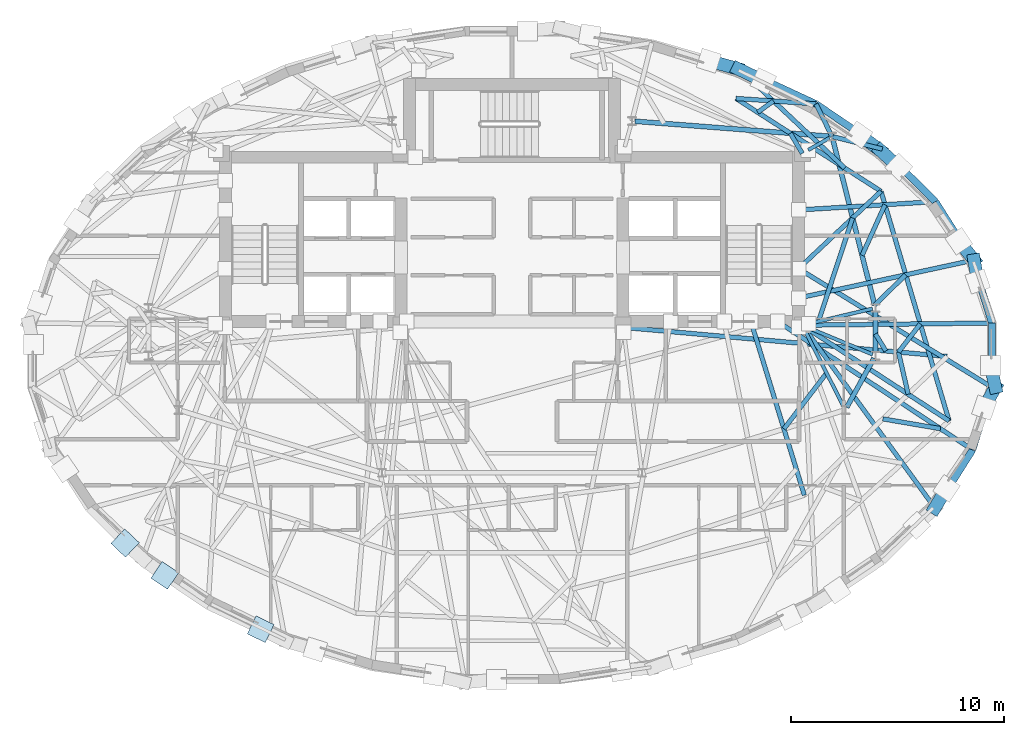
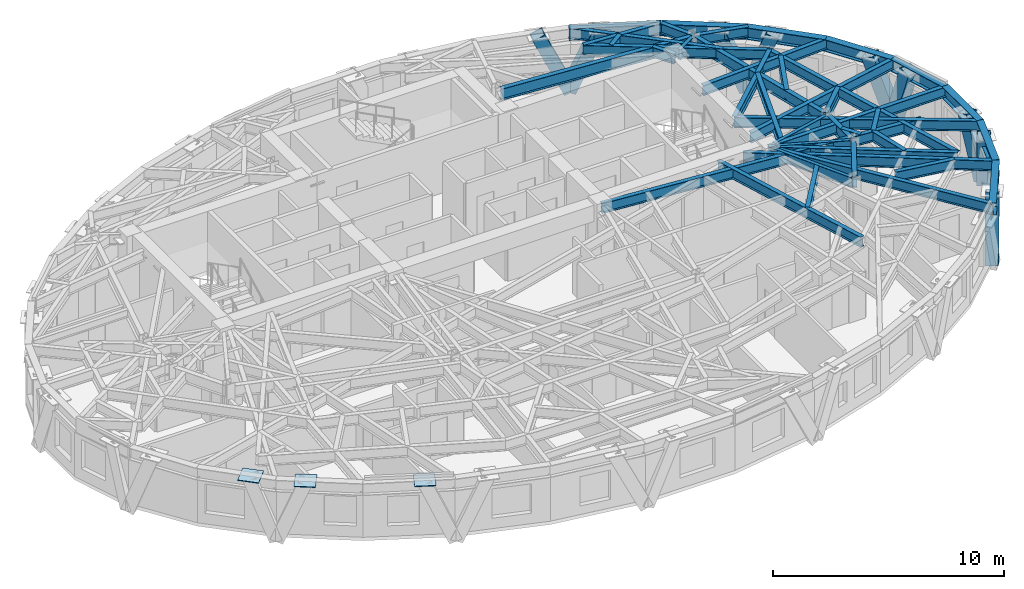
# One storey, part 4 of 14: 42 beams, 9 members, 3 plates.
"""IFC4 building model written with IfcOpenShell, lengths in metres."""

import ifcopenshell
import ifcopenshell.guid

model = None  # the IFC model being written
_history = None  # IfcOwnerHistory: only IFC2X3 demands one
_inside = {}  # id of a spatial element -> (the spatial element, [elements in it])
_under = {}  # id of a project, library or spatial element -> (it, [spatial elements below it])
_declared = {}  # id of a project -> (the project, [libraries it declares])
_typed = {}  # id of a type object -> (the type object, [elements of that type])
_made_of = {}  # id of a material, layer set ... -> (it, [elements and type objects made of it])


def new_model(schema):
    """Start an empty IFC model of exactly this schema.

    Asked for "IFC4X3", IfcOpenShell would pick the latest addendum, in which some entities
    have other attributes; the version numbers below select the first issue.
    IFC2X3 requires an IfcOwnerHistory on every rooted entity: one is made here for all.
    """
    global model, _history
    if schema == "IFC4X3":
        model = ifcopenshell.file(schema_version=(4, 3, 0, 0))
    else:
        model = ifcopenshell.file(schema=schema)
    _inside.clear()
    _under.clear()
    _declared.clear()
    _typed.clear()
    _made_of.clear()
    _history = None
    if model.schema == "IFC2X3":
        org = make("IfcOrganization", Name="unknown")
        user = make(
            "IfcPersonAndOrganization",
            ThePerson=make("IfcPerson", FamilyName="unknown"),
            TheOrganization=org,
        )
        app = make(
            "IfcApplication",
            ApplicationDeveloper=org,
            Version="unknown",
            ApplicationFullName="unknown",
            ApplicationIdentifier="unknown",
        )
        _history = make(
            "IfcOwnerHistory",
            OwningUser=user,
            OwningApplication=app,
            ChangeAction="ADDED",
            CreationDate=0,
        )
    return model


def make(cls, **values):
    """One entity of the class cls with the attributes given. An attribute that is None is left unset."""
    return model.create_entity(
        cls, **{name: value for name, value in values.items() if value is not None}
    )


def rooted(cls, **values):
    """An entity with a GlobalId (a new one), such as an element, a storey or a relation."""
    return make(cls, GlobalId=ifcopenshell.guid.new(), OwnerHistory=_history, **values)


def si_unit(unit_type, name, prefix=None):
    """IfcSIUnit, for example si_unit("LENGTHUNIT", "METRE", prefix="MILLI")."""
    return make("IfcSIUnit", UnitType=unit_type, Prefix=prefix, Name=name)


def assignment(units):
    """IfcUnitAssignment: the units of a project."""
    return None if units is None else make("IfcUnitAssignment", Units=units)


def point(xyz):
    """IfcCartesianPoint."""
    return None if xyz is None else make("IfcCartesianPoint", Coordinates=xyz)


def direction(xyz):
    """IfcDirection."""
    return None if xyz is None else make("IfcDirection", DirectionRatios=xyz)


def frame(location, z_axis=None, x_axis=None):
    """IfcAxis2Placement3D, a coordinate frame: its origin and axes. An axis left out is left unset."""
    return make(
        "IfcAxis2Placement3D",
        Location=point(location),
        Axis=direction(z_axis),
        RefDirection=direction(x_axis),
    )


def frame_2d(location, x_axis=None):
    """IfcAxis2Placement2D, a coordinate frame in the plane: its origin and x axis."""
    return make(
        "IfcAxis2Placement2D", Location=point(location), RefDirection=direction(x_axis)
    )


def origin():
    """The frame at (0, 0, 0) with its axes left unset."""
    return frame((0.0, 0.0, 0.0))


def origin_2d():
    """The frame at (0, 0) in the plane with its x axis left unset."""
    return frame_2d((0.0, 0.0))


def place(relative_to, where):
    """IfcLocalPlacement: puts the frame where relative to a parent placement (None: the world)."""
    return make(
        "IfcLocalPlacement", PlacementRelTo=relative_to, RelativePlacement=where
    )


def context(
    kind, dimensions, precision=None, world=None, true_north=None, identifier=None
):
    """IfcGeometricRepresentationContext, for example the 3D "Model" context."""
    return make(
        "IfcGeometricRepresentationContext",
        ContextIdentifier=identifier,
        ContextType=kind,
        CoordinateSpaceDimension=dimensions,
        Precision=precision,
        WorldCoordinateSystem=world,
        TrueNorth=true_north,
    )


def subcontext(parent, identifier, kind, view, scale=None):
    """IfcGeometricRepresentationSubContext, for example "Body" below "Model"."""
    return make(
        "IfcGeometricRepresentationSubContext",
        ContextIdentifier=identifier,
        ContextType=kind,
        ParentContext=parent,
        TargetScale=scale,
        TargetView=view,
    )


def project(units=None, contexts=None):
    """IfcProject with its units and contexts."""
    return rooted(
        "IfcProject",
        Name="project",
        RepresentationContexts=contexts,
        UnitsInContext=assignment(units),
    )


def spatial(cls, under=None, at=None, **own):
    """A site, building, storey or space (cls), placed at a placement, below another one or the project."""
    s = rooted(cls, ObjectPlacement=at, **own)
    if under is not None:
        _under.setdefault(under.id(), (under, []))[1].append(s)
    return s


def profile(cls, at=None, kind="AREA", **sizes):
    """A parametric profile (cls). Its sizes go by their IFC names, for example OverallWidth=200.0."""
    return make(cls, ProfileType=kind, Position=at, **sizes)


def rectangle(**sizes):
    """IfcRectangleProfileDef."""
    return profile("IfcRectangleProfileDef", **sizes)


def hollow_rectangle(**sizes):
    """IfcRectangleHollowProfileDef."""
    return profile("IfcRectangleHollowProfileDef", **sizes)


def i_section(**sizes):
    """IfcIShapeProfileDef."""
    return profile("IfcIShapeProfileDef", **sizes)


def extrude(swept, where, along, depth):
    """IfcExtrudedAreaSolid: the profile swept, set in the frame where, extruded along a direction by depth."""
    return make(
        "IfcExtrudedAreaSolid",
        SweptArea=swept,
        Position=where,
        ExtrudedDirection=direction(along),
        Depth=depth,
    )


def shape(context_of_items, identifier, shape_type, items):
    """IfcShapeRepresentation: the items that make up one representation, for example the "Body"."""
    return make(
        "IfcShapeRepresentation",
        ContextOfItems=context_of_items,
        RepresentationIdentifier=identifier,
        RepresentationType=shape_type,
        Items=items,
    )


def material(Name=None, Category=None):
    """IfcMaterial."""
    return make("IfcMaterial", Name=Name, Category=Category)


def layer(
    of_material, thickness, ventilated=None, Name=None, Category=None, Priority=None
):
    """IfcMaterialLayer: one layer of a wall or slab, of a material (None: an air gap)."""
    return make(
        "IfcMaterialLayer",
        Material=of_material,
        LayerThickness=thickness,
        IsVentilated=ventilated,
        Name=Name,
        Category=Category,
        Priority=Priority,
    )


def layer_set(layers, Name=None):
    """IfcMaterialLayerSet."""
    return make("IfcMaterialLayerSet", MaterialLayers=layers, LayerSetName=Name)


def material_profile(
    of_material, cross_section, Name=None, Category=None, Priority=None
):
    """IfcMaterialProfile: a cross section and its material."""
    return make(
        "IfcMaterialProfile",
        Name=Name,
        Material=of_material,
        Profile=cross_section,
        Priority=Priority,
        Category=Category,
    )


def profile_set(profiles, Name=None, composite=None):
    """IfcMaterialProfileSet."""
    return make(
        "IfcMaterialProfileSet",
        Name=Name,
        MaterialProfiles=profiles,
        CompositeProfile=composite,
    )


def made_of(thing, what):
    """Note that an element or type object is made of a material, layer set ...; save() writes the relation."""
    if what is not None:
        _made_of.setdefault(what.id(), (what, []))[1].append(thing)
    return thing


def type_object(cls, material=None, **own):
    """A type object (cls), such as IfcWallType, which elements share."""
    return made_of(rooted(cls, **own), material)


def element(
    cls,
    number,
    at=None,
    inside=None,
    cuts=None,
    type_object=None,
    material=None,
    context=None,
    identifier="Body",
    shape_type=None,
    held_by="IfcProductDefinitionShape",
    body=None,
    shapes=None,
    **own,
):
    """One element of the class cls, such as IfcWall. Its Tag is "e" and its number.

    at: its placement. inside: the storey or other place that contains it. cuts: it is an
    opening in that element (IfcRelVoidsElement). A single representation is given by context,
    identifier, shape_type and body (its items); several are given by shapes. held_by: the class
    of the entity that holds the representations. save() writes the other relations.
    """
    e = rooted(cls, Tag="e%d" % number, ObjectPlacement=at, **own)
    if body is not None:
        shapes = [shape(context, identifier, shape_type, body)]
    if shapes is not None:
        e.Representation = make(held_by, Representations=shapes)
    if inside is not None:
        _inside.setdefault(inside.id(), (inside, []))[1].append(e)
    if cuts is not None:
        rooted(
            "IfcRelVoidsElement", RelatingBuildingElement=cuts, RelatedOpeningElement=e
        )
    if type_object is not None:
        _typed.setdefault(type_object.id(), (type_object, []))[1].append(e)
    return made_of(e, material)


def aggregate(whole, parts):
    """IfcRelAggregates: a whole, such as a stair, and the parts it consists of."""
    return rooted("IfcRelAggregates", RelatingObject=whole, RelatedObjects=parts)


def save(model, path):
    """Write the relations noted so far, then the file.

    IfcRelAggregates (storeys below a building ...), IfcRelContainedInSpatialStructure (elements
    in a storey), IfcRelDefinesByType, IfcRelAssociatesMaterial and IfcRelDeclares: one each for
    every whole, place, type object, material and project.
    """
    for whole, parts in _under.values():
        aggregate(whole, parts)
    for where, things in _inside.values():
        rooted(
            "IfcRelContainedInSpatialStructure",
            RelatedElements=things,
            RelatingStructure=where,
        )
    for kind, things in _typed.values():
        rooted("IfcRelDefinesByType", RelatedObjects=things, RelatingType=kind)
    for what, things in _made_of.values():
        rooted("IfcRelAssociatesMaterial", RelatedObjects=things, RelatingMaterial=what)
    for by, libraries in _declared.values():
        rooted("IfcRelDeclares", RelatingContext=by, RelatedDefinitions=libraries)
    model.write(path)


model = new_model("IFC4")

# Units and contexts
model_context = context("Model", 3, precision=1e-05, world=origin(), true_north=direction((0.0, 1.0)))
body_context = subcontext(model_context, "Body", "Model", "MODEL_VIEW")
ifc_project = project(units=[si_unit("LENGTHUNIT", "METRE"), si_unit("AREAUNIT", "SQUARE_METRE"), si_unit("VOLUMEUNIT", "CUBIC_METRE"), si_unit("PLANEANGLEUNIT", "RADIAN"), si_unit("MASSUNIT", "GRAM", prefix="KILO")], contexts=[model_context])

# Site, building, storey
site_placement = place(None, origin())
site = spatial("IfcSite", under=ifc_project, at=site_placement, CompositionType="ELEMENT")
building_placement = place(site_placement, origin())
building = spatial("IfcBuilding", under=site, at=building_placement, Name="Keldmark Tower", CompositionType="ELEMENT")
storey_placement = place(building_placement, frame((0.0, 0.0, 225.75)))
storey = spatial("IfcBuildingStorey", under=building, at=storey_placement, Name="L63", CompositionType="ELEMENT", Elevation=225.75)

# Members
ifc_material_1 = material(Name="Steel ASTM A572 Grade 50", Category="steel")
ifc_material_profile_1 = material_profile(ifc_material_1, hollow_rectangle(XDim=0.60009765625, YDim=0.60009765625, WallThickness=0.034912109375, at=origin_2d()), Name="BOX600X600X35")
ifc_profile_set_1 = profile_set([ifc_material_profile_1], Name="Steel ASTM A572 Grade 50")
member_type = type_object("IfcMemberType", Name="Diagrid Zone 4 Brace BOX600X600X35", PredefinedType="BRACE", material=ifc_profile_set_1)
member_1_placement = place(storey_placement, frame((21.648681640625, 4.4599609375, -0.260009765625), z_axis=(0.052359262736, -0.30736826458, 0.950149071217), x_axis=(0.985799271193, 0.16792795156, 0.0)))
element("IfcMember", 1, at=member_1_placement, inside=storey, type_object=member_type, Name="L63 Perimeter Diagrid Brace 01A", PredefinedType="BRACE", context=body_context, shape_type="SweptSolid", body=[
    extrude(hollow_rectangle(XDim=0.60009765625, YDim=0.60009765625, WallThickness=0.034912109375, at=origin_2d()), origin(), (0.0, 0.0, 1.0), 3.273193359375),
])
member_2_placement = place(storey_placement, frame((21.651123046875, 4.448486328125, -0.260009765625), z_axis=(-0.214858487327, 0.268665244016, 0.938964758168), x_axis=(-0.780973315, -0.624564393203, 0.0)))
element("IfcMember", 2, at=member_2_placement, inside=storey, type_object=member_type, Name="L63 Perimeter Diagrid Brace 01B", PredefinedType="BRACE", context=body_context, shape_type="SweptSolid", body=[
    extrude(hollow_rectangle(XDim=0.60009765625, YDim=0.60009765625, WallThickness=0.034912109375, at=origin_2d()), origin(), (0.0, 0.0, 1.0), 3.312255859375),
])
member_3_placement = place(storey_placement, frame((17.247802734375, 9.6005859375, -0.260009765625), z_axis=(0.264157929949, -0.238629754547, 0.934492604727), x_axis=(0.670341168398, 0.742053042546, 0.0)))
element("IfcMember", 3, at=member_3_placement, inside=storey, type_object=member_type, Name="L63 Perimeter Diagrid Brace 02A", PredefinedType="BRACE", context=body_context, shape_type="SweptSolid", body=[
    extrude(hollow_rectangle(XDim=0.60009765625, YDim=0.60009765625, WallThickness=0.034912109375, at=origin_2d()), origin(), (0.0, 0.0, 1.0), 3.328125),
])
member_4_placement = place(storey_placement, frame((17.25439453125, 9.5908203125, -0.260009765625), z_axis=(-0.29491050616, 0.218755106822, 0.930147298333), x_axis=(-0.595760039793, -0.803162483552, 0.0)))
element("IfcMember", 4, at=member_4_placement, inside=storey, type_object=member_type, Name="L63 Perimeter Diagrid Brace 02B", PredefinedType="BRACE", context=body_context, shape_type="SweptSolid", body=[
    extrude(hollow_rectangle(XDim=0.60009765625, YDim=0.60009765625, WallThickness=0.034912109375, at=origin_2d()), origin(), (0.0, 0.0, 1.0), 3.34375),
])
member_5_placement = place(storey_placement, frame((10.5751953125, 13.41943359375, -0.260009765625), z_axis=(0.355151526053, -0.170143701429, 0.919194492154), x_axis=(0.432051880962, 0.901848752373, 0.0)))
element("IfcMember", 5, at=member_5_placement, inside=storey, type_object=member_type, Name="L63 Perimeter Diagrid Brace 03A", PredefinedType="BRACE", context=body_context, shape_type="SweptSolid", body=[
    extrude(hollow_rectangle(XDim=0.60009765625, YDim=0.60009765625, WallThickness=0.034912109375, at=origin_2d()), origin(), (0.0, 0.0, 1.0), 3.383544921875),
])
member_6_placement = place(storey_placement, frame((10.5849609375, 13.4130859375, -0.260009765625), z_axis=(-0.398981240233, 0.111034535695, 0.910211679679), x_axis=(-0.26810654072, -0.963389268584, 0.0)))
element("IfcMember", 6, at=member_6_placement, inside=storey, type_object=member_type, Name="L63 Perimeter Diagrid Brace 03B", PredefinedType="BRACE", context=body_context, shape_type="SweptSolid", body=[
    extrude(hollow_rectangle(XDim=0.60009765625, YDim=0.60009765625, WallThickness=0.034912109375, at=origin_2d()), origin(), (0.0, 0.0, 1.0), 3.4169921875),
])
member_7_placement = place(storey_placement, frame((19.80322265625, -7.16943359375, -0.260009765625), z_axis=(0.170164366192, 0.280863886334, 0.944541987331), x_axis=(-0.855273640072, 0.518176611395, 0.0)))
element("IfcMember", 7, at=member_7_placement, inside=storey, type_object=member_type, Name="L63 Perimeter Diagrid Brace 15B", PredefinedType="BRACE", context=body_context, shape_type="SweptSolid", body=[
    extrude(hollow_rectangle(XDim=0.60009765625, YDim=0.60009765625, WallThickness=0.034912109375, at=origin_2d()), origin(), (0.0, 0.0, 1.0), 3.292724609375),
])
member_8_placement = place(storey_placement, frame((22.65185546875, -1.49951171875, -0.260009765625), z_axis=(-0.159875295464, -0.292216512265, 0.942894161537), x_axis=(0.877283427073, -0.479972695663, 0.0)))
element("IfcMember", 8, at=member_8_placement, inside=storey, type_object=member_type, Name="L63 Perimeter Diagrid Brace 16A", PredefinedType="BRACE", context=body_context, shape_type="SweptSolid", body=[
    extrude(hollow_rectangle(XDim=0.60009765625, YDim=0.60009765625, WallThickness=0.034912109375, at=origin_2d()), origin(), (0.0, 0.0, 1.0), 3.298583984375),
])
member_9_placement = place(storey_placement, frame((22.6494140625, -1.510986328125, -0.260009765625), z_axis=(-0.068559561846, 0.309895174772, 0.94829561168), x_axis=(-0.976390815679, -0.216011516032, 0.0)))
element("IfcMember", 9, at=member_9_placement, inside=storey, type_object=member_type, Name="L63 Perimeter Diagrid Brace 16B", PredefinedType="BRACE", context=body_context, shape_type="SweptSolid", body=[
    extrude(hollow_rectangle(XDim=0.60009765625, YDim=0.60009765625, WallThickness=0.034912109375, at=origin_2d()), origin(), (0.0, 0.0, 1.0), 3.27978515625),
])

# Beams
ifc_material_2 = material(Name="Steel ASTM A992 Grade 50", Category="steel")
ifc_material_profile_2 = material_profile(ifc_material_2, i_section(OverallWidth=0.22802734375, OverallDepth=0.60302734375, WebThickness=0.010498046875, FlangeThickness=0.014892578125, at=origin_2d()), Name="W24X68")
ifc_profile_set_2 = profile_set([ifc_material_profile_2], Name="Steel ASTM A992 Grade 50")
beam_type_1 = type_object("IfcBeamType", Name="Primary Floor Girder W24X68", PredefinedType="BEAM", material=ifc_profile_set_2)
beam_1_placement = place(storey_placement, frame((16.9912109375, 2.34375, 2.66845703125), z_axis=(-0.244902129455, 0.969547805417, 0.0), x_axis=(-0.969547805417, -0.244902129455, 0.0)))
element("IfcBeam", 10, at=beam_1_placement, inside=storey, type_object=beam_type_1, Name="L63 Floor Ring Girder FG-R01", PredefinedType="BEAM", context=body_context, shape_type="SweptSolid", body=[
    extrude(i_section(OverallWidth=0.22802734375, OverallDepth=0.60302734375, WebThickness=0.010498046875, FlangeThickness=0.014892578125, at=origin_2d()), origin(), (0.0, 0.0, 1.0), 8.008056640625),
])
beam_2_placement = place(storey_placement, frame((14.856201171875, 10.25439453125, 2.66845703125), z_axis=(-0.997037147832, 0.076921556421, 0.0), x_axis=(-0.076921556421, -0.997037147832, 0.0)))
element("IfcBeam", 11, at=beam_2_placement, inside=storey, type_object=beam_type_1, Name="L63 Floor Ring Girder FG-R02", PredefinedType="BEAM", context=body_context, shape_type="SweptSolid", body=[
    extrude(i_section(OverallWidth=0.22802734375, OverallDepth=0.60302734375, WebThickness=0.010498046875, FlangeThickness=0.014892578125, at=origin_2d()), origin(), (0.0, 0.0, 1.0), 9.125),
])
beam_3_placement = place(storey_placement, frame((15.68408203125, -2.44482421875, 2.66845703125), z_axis=(0.484719680408, 0.874669555561, 0.0), x_axis=(-0.874669555561, 0.484719680408, 0.0)))
element("IfcBeam", 12, at=beam_3_placement, inside=storey, type_object=beam_type_1, Name="L63 Floor Ring Girder FG-R11", PredefinedType="BEAM", context=body_context, shape_type="SweptSolid", body=[
    extrude(i_section(OverallWidth=0.22802734375, OverallDepth=0.60302734375, WebThickness=0.010498046875, FlangeThickness=0.014892578125, at=origin_2d()), origin(), (0.0, 0.0, 1.0), 2.627685546875),
])
beam_4_placement = place(storey_placement, frame((17.025634765625, 0.115966796875, 2.66845703125), z_axis=(0.0, 1.0, 0.0), x_axis=(-1.0, 0.0, 0.0)))
element("IfcBeam", 13, at=beam_4_placement, inside=storey, type_object=beam_type_1, Name="L63 Floor Ring Girder FG-R12", PredefinedType="BEAM", context=body_context, shape_type="SweptSolid", body=[
    extrude(i_section(OverallWidth=0.22802734375, OverallDepth=0.60302734375, WebThickness=0.010498046875, FlangeThickness=0.014892578125, at=origin_2d()), origin(), (0.0, 0.0, 1.0), 1.9521484375),
])
ifc_material_3 = material(Name="Steel ASTM A992 Grade 50", Category="steel")
ifc_material_profile_3 = material_profile(ifc_material_3, i_section(OverallWidth=0.166015625, OverallDepth=0.529052734375, WebThickness=0.009765625, FlangeThickness=0.013671875, at=origin_2d()), Name="W21X50")
ifc_profile_set_3 = profile_set([ifc_material_profile_3], Name="Steel ASTM A992 Grade 50")
beam_type_2 = type_object("IfcBeamType", Name="Radial Tie Girder W21X50", PredefinedType="BEAM", material=ifc_profile_set_3)
beam_5_placement = place(storey_placement, frame((16.889404296875, 2.17578125, 2.70556640625), z_axis=(-0.97329039005, -0.229577474147, 0.0), x_axis=(0.229577474147, -0.97329039005, 0.0)))
element("IfcBeam", 14, at=beam_5_placement, inside=storey, type_object=beam_type_2, Name="L63 Floor Radial Girder FG-C01", PredefinedType="BEAM", context=body_context, shape_type="SweptSolid", body=[
    extrude(i_section(OverallWidth=0.166015625, OverallDepth=0.529052734375, WebThickness=0.009765625, FlangeThickness=0.013671875, at=origin_2d()), origin(), (0.0, 0.0, 1.0), 3.0595703125),
])
beam_6_placement = place(storey_placement, frame((14.8740234375, 10.174560546875, 2.70556640625), z_axis=(-0.869238046195, -0.494393789451, 0.0), x_axis=(0.494393789451, -0.869238046195, 0.0)))
element("IfcBeam", 15, at=beam_6_placement, inside=storey, type_object=beam_type_2, Name="L63 Floor Radial Girder FG-C02", PredefinedType="BEAM", context=body_context, shape_type="SweptSolid", body=[
    extrude(i_section(OverallWidth=0.166015625, OverallDepth=0.529052734375, WebThickness=0.009765625, FlangeThickness=0.013671875, at=origin_2d()), origin(), (0.0, 0.0, 1.0), 1.145751953125),
])
beam_7_placement = place(storey_placement, frame((15.552734375, -2.442626953125, 2.70556640625), z_axis=(-0.453004410574, 0.89150827478, 0.0), x_axis=(-0.89150827478, -0.453004410574, 0.0)))
element("IfcBeam", 16, at=beam_7_placement, inside=storey, type_object=beam_type_2, Name="L63 Floor Radial Girder FG-C11", PredefinedType="BEAM", context=body_context, shape_type="SweptSolid", body=[
    extrude(i_section(OverallWidth=0.166015625, OverallDepth=0.529052734375, WebThickness=0.009765625, FlangeThickness=0.013671875, at=origin_2d()), origin(), (0.0, 0.0, 1.0), 3.990234375),
])
beam_8_placement = place(storey_placement, frame((16.896240234375, 0.02978515625, 2.70556640625), z_axis=(-0.923403331902, 0.383831065226, 0.0), x_axis=(-0.383831065226, -0.923403331902, 0.0)))
element("IfcBeam", 17, at=beam_8_placement, inside=storey, type_object=beam_type_2, Name="L63 Floor Radial Girder FG-C12", PredefinedType="BEAM", context=body_context, shape_type="SweptSolid", body=[
    extrude(i_section(OverallWidth=0.166015625, OverallDepth=0.529052734375, WebThickness=0.009765625, FlangeThickness=0.013671875, at=origin_2d()), origin(), (0.0, 0.0, 1.0), 3.249755859375),
])
ifc_material_4 = material(Name="Steel ASTM A992 Grade 50", Category="steel")
ifc_material_profile_4 = material_profile(ifc_material_4, i_section(OverallWidth=0.2099609375, OverallDepth=0.537109375, WebThickness=0.010986328125, FlangeThickness=0.017333984375, at=origin_2d()), Name="W21X68")
ifc_profile_set_4 = profile_set([ifc_material_profile_4], Name="Steel ASTM A992 Grade 50")
beam_type_3 = type_object("IfcBeamType", Name="Radial Tie Girder W21X68", PredefinedType="BEAM", material=ifc_profile_set_4)
beam_9_placement = place(storey_placement, frame((14.7392578125, -0.841796875, 2.701416015625), z_axis=(-0.60729864394, -0.794473635225, 0.0), x_axis=(0.794473635225, -0.60729864394, 0.0)))
element("IfcBeam", 18, at=beam_9_placement, inside=storey, type_object=beam_type_3, Name="L63 Framing Pin Header PH-005", PredefinedType="BEAM", context=body_context, shape_type="SweptSolid", body=[
    extrude(i_section(OverallWidth=0.2099609375, OverallDepth=0.537109375, WebThickness=0.010986328125, FlangeThickness=0.017333984375, at=origin_2d()), origin(), (0.0, 0.0, 1.0), 3.290771484375),
])
beam_10_placement = place(storey_placement, frame((11.19287109375, 1.574951171875, 2.701416015625), z_axis=(0.294033458394, -0.955795127287, 0.0), x_axis=(0.955795127287, 0.294033458394, 0.0)))
element("IfcBeam", 19, at=beam_10_placement, inside=storey, type_object=beam_type_3, Name="L63 Sub-Ring Step Girder STP1-M11", PredefinedType="BEAM", context=body_context, shape_type="SweptSolid", body=[
    extrude(i_section(OverallWidth=0.2099609375, OverallDepth=0.537109375, WebThickness=0.010986328125, FlangeThickness=0.017333984375, at=origin_2d()), origin(), (0.0, 0.0, 1.0), 8.51416015625),
])
beam_11_placement = place(storey_placement, frame((17.025634765625, 0.994384765625, 2.701416015625), z_axis=(0.523690742514, -0.851908449427, 0.0), x_axis=(0.851908449427, 0.523690742514, 0.0)))
element("IfcBeam", 20, at=beam_11_placement, inside=storey, type_object=beam_type_3, Name="L63 Framing Pin Header PH-006", PredefinedType="BEAM", context=body_context, shape_type="SweptSolid", body=[
    extrude(i_section(OverallWidth=0.2099609375, OverallDepth=0.537109375, WebThickness=0.010986328125, FlangeThickness=0.017333984375, at=origin_2d()), origin(), (0.0, 0.0, 1.0), 0.93798828125),
])
beam_12_placement = place(storey_placement, frame((5.199951171875, 1.300048828125, 2.701416015625), z_axis=(0.996000916079, -0.089343019709, 0.0), x_axis=(0.089343019709, 0.996000916079, 0.0)))
element("IfcBeam", 21, at=beam_12_placement, inside=storey, type_object=beam_type_3, Name="L63 Sub-Ring Step Girder STP1-M12", PredefinedType="BEAM", context=body_context, shape_type="SweptSolid", body=[
    extrude(i_section(OverallWidth=0.2099609375, OverallDepth=0.537109375, WebThickness=0.010986328125, FlangeThickness=0.017333984375, at=origin_2d()), origin(), (0.0, 0.0, 1.0), 15.245361328125),
])
beam_13_placement = place(storey_placement, frame((14.358154296875, 1.578857421875, 2.701416015625), z_axis=(0.313530480674, 0.949578136695, 0.0), x_axis=(-0.949578136695, 0.313530480674, 0.0)))
element("IfcBeam", 22, at=beam_13_placement, inside=storey, type_object=beam_type_3, Name="L63 Framing Pin Header PH-007", PredefinedType="BEAM", context=body_context, shape_type="SweptSolid", body=[
    extrude(i_section(OverallWidth=0.2099609375, OverallDepth=0.537109375, WebThickness=0.010986328125, FlangeThickness=0.017333984375, at=origin_2d()), origin(), (0.0, 0.0, 1.0), 5.107421875),
])
beam_14_placement = place(storey_placement, frame((13.425048828125, 4.050048828125, 2.701416015625), z_axis=(0.729189389009, 0.684311942725, 0.0), x_axis=(-0.684311942725, 0.729189389009, 0.0)))
element("IfcBeam", 23, at=beam_14_placement, inside=storey, type_object=beam_type_3, Name="L63 Sub-Ring Step Girder STP2-M01", PredefinedType="BEAM", context=body_context, shape_type="SweptSolid", body=[
    extrude(i_section(OverallWidth=0.2099609375, OverallDepth=0.537109375, WebThickness=0.010986328125, FlangeThickness=0.017333984375, at=origin_2d()), origin(), (0.0, 0.0, 1.0), 5.298828125),
])
beam_15_placement = place(storey_placement, frame((18.106689453125, 0.142333984375, 2.701416015625), z_axis=(0.224446165451, -0.974486489806, 0.0), x_axis=(0.974486489806, 0.224446165451, 0.0)))
element("IfcBeam", 24, at=beam_15_placement, inside=storey, type_object=beam_type_3, Name="L63 Framing Pin Header PH-012", PredefinedType="BEAM", context=body_context, shape_type="SweptSolid", body=[
    extrude(i_section(OverallWidth=0.2099609375, OverallDepth=0.537109375, WebThickness=0.010986328125, FlangeThickness=0.017333984375, at=origin_2d()), origin(), (0.0, 0.0, 1.0), 2.027587890625),
])
beam_16_placement = place(storey_placement, frame((13.60009765625, 1.39990234375, 2.701416015625), z_axis=(0.83781462899, -0.545954803487, 0.0), x_axis=(0.545954803487, 0.83781462899, 0.0)))
element("IfcBeam", 25, at=beam_16_placement, inside=storey, type_object=beam_type_3, Name="L63 Sub-Ring Step Girder STP2-M12", PredefinedType="BEAM", context=body_context, shape_type="SweptSolid", body=[
    extrude(i_section(OverallWidth=0.2099609375, OverallDepth=0.537109375, WebThickness=0.010986328125, FlangeThickness=0.017333984375, at=origin_2d()), origin(), (0.0, 0.0, 1.0), 8.210205078125),
])
beam_17_placement = place(storey_placement, frame((20.478759765625, -3.08251953125, 2.701416015625), z_axis=(-0.284270552474, 0.958744101935, 0.0), x_axis=(-0.958744101935, -0.284270552474, 0.0)))
element("IfcBeam", 26, at=beam_17_placement, inside=storey, type_object=beam_type_3, Name="L63 Perimeter Collector Ring Beam CRG2-M12", PredefinedType="BEAM", context=body_context, shape_type="SweptSolid", body=[
    extrude(i_section(OverallWidth=0.2099609375, OverallDepth=0.537109375, WebThickness=0.010986328125, FlangeThickness=0.017333984375, at=origin_2d()), origin(), (0.0, 0.0, 1.0), 11.221435546875),
])
beam_18_placement = place(storey_placement, frame((18.106689453125, 0.142333984375, 2.701416015625), z_axis=(0.612706249647, 0.79031073107, 0.0), x_axis=(-0.79031073107, 0.612706249647, 0.0)))
element("IfcBeam", 27, at=beam_18_placement, inside=storey, type_object=beam_type_3, Name="L63 Framing Pin Header PH-013", PredefinedType="BEAM", context=body_context, shape_type="SweptSolid", body=[
    extrude(i_section(OverallWidth=0.2099609375, OverallDepth=0.537109375, WebThickness=0.010986328125, FlangeThickness=0.017333984375, at=origin_2d()), origin(), (0.0, 0.0, 1.0), 1.671630859375),
])
beam_19_placement = place(storey_placement, frame((13.60009765625, 1.39990234375, 2.701416015625), z_axis=(0.999934346316, 0.011458754635, 0.0), x_axis=(-0.011458754635, 0.999934346316, 0.0)))
element("IfcBeam", 28, at=beam_19_placement, inside=storey, type_object=beam_type_3, Name="L63 Perimeter Radial Tie Girder RT-01", PredefinedType="BEAM", context=body_context, shape_type="SweptSolid", body=[
    extrude(i_section(OverallWidth=0.2099609375, OverallDepth=0.537109375, WebThickness=0.010986328125, FlangeThickness=0.017333984375, at=origin_2d()), origin(), (0.0, 0.0, 1.0), 8.884521484375),
])
beam_20_placement = place(storey_placement, frame((16.9912109375, 2.34375, 2.701416015625), z_axis=(0.716821588174, 0.697256631899, 0.0), x_axis=(-0.697256631899, 0.716821588174, 0.0)))
element("IfcBeam", 29, at=beam_20_placement, inside=storey, type_object=beam_type_3, Name="L63 Framing Pin Header PH-014", PredefinedType="BEAM", context=body_context, shape_type="SweptSolid", body=[
    extrude(i_section(OverallWidth=0.2099609375, OverallDepth=0.537109375, WebThickness=0.010986328125, FlangeThickness=0.017333984375, at=origin_2d()), origin(), (0.0, 0.0, 1.0), 2.033935546875),
])
beam_21_placement = place(storey_placement, frame((13.425048828125, 2.675048828125, 2.701416015625), z_axis=(0.977389320923, 0.211447665739, 0.0), x_axis=(-0.211447665739, 0.977389320923, 0.0)))
element("IfcBeam", 30, at=beam_21_placement, inside=storey, type_object=beam_type_3, Name="L63 Perimeter Radial Tie Girder RT-02", PredefinedType="BEAM", context=body_context, shape_type="SweptSolid", body=[
    extrude(i_section(OverallWidth=0.2099609375, OverallDepth=0.537109375, WebThickness=0.010986328125, FlangeThickness=0.017333984375, at=origin_2d()), origin(), (0.0, 0.0, 1.0), 8.3408203125),
])
beam_22_placement = place(storey_placement, frame((16.40283203125, 4.673095703125, 2.701416015625), z_axis=(0.411810249553, 0.911269618918, 0.0), x_axis=(-0.911269618918, 0.411810249553, 0.0)))
element("IfcBeam", 31, at=beam_22_placement, inside=storey, type_object=beam_type_3, Name="L63 Framing Pin Header PH-015", PredefinedType="BEAM", context=body_context, shape_type="SweptSolid", body=[
    extrude(i_section(OverallWidth=0.2099609375, OverallDepth=0.537109375, WebThickness=0.010986328125, FlangeThickness=0.017333984375, at=origin_2d()), origin(), (0.0, 0.0, 1.0), 2.6044921875),
])
beam_23_placement = place(storey_placement, frame((13.425048828125, 6.800048828125, 2.701416015625), z_axis=(0.998153301688, 0.060745257678, 0.0), x_axis=(-0.060745257678, 0.998153301688, 0.0)))
element("IfcBeam", 32, at=beam_23_placement, inside=storey, type_object=beam_type_3, Name="L63 Perimeter Radial Tie Girder RT-03", PredefinedType="BEAM", context=body_context, shape_type="SweptSolid", body=[
    extrude(i_section(OverallWidth=0.2099609375, OverallDepth=0.537109375, WebThickness=0.010986328125, FlangeThickness=0.017333984375, at=origin_2d()), origin(), (0.0, 0.0, 1.0), 6.422607421875),
])
beam_24_placement = place(storey_placement, frame((14.995849609375, 10.24365234375, 2.701416015625), z_axis=(0.970366856097, -0.241636430591, 0.0), x_axis=(0.241636430591, 0.970366856097, 0.0)))
element("IfcBeam", 33, at=beam_24_placement, inside=storey, type_object=beam_type_3, Name="L63 Perimeter Column Bracket RT-04", PredefinedType="BEAM", context=body_context, shape_type="SweptSolid", body=[
    extrude(i_section(OverallWidth=0.2099609375, OverallDepth=0.537109375, WebThickness=0.010986328125, FlangeThickness=0.017333984375, at=origin_2d()), origin(), (0.0, 0.0, 1.0), 2.427978515625),
])
beam_25_placement = place(storey_placement, frame((14.995849609375, 10.24365234375, 2.701416015625), z_axis=(-0.444339950507, 0.895858252395, 0.0), x_axis=(-0.895858252395, -0.444339950507, 0.0)))
element("IfcBeam", 34, at=beam_25_placement, inside=storey, type_object=beam_type_3, Name="L63 Perimeter Column Bracket RT-05", PredefinedType="BEAM", context=body_context, shape_type="SweptSolid", body=[
    extrude(i_section(OverallWidth=0.2099609375, OverallDepth=0.537109375, WebThickness=0.010986328125, FlangeThickness=0.017333984375, at=origin_2d()), origin(), (0.0, 0.0, 1.0), 1.700439453125),
])
beam_26_placement = place(storey_placement, frame((13.60009765625, 9.449951171875, 2.701416015625), z_axis=(-0.509351149314, 0.86055877585, 0.0), x_axis=(-0.86055877585, -0.509351149314, 0.0)))
element("IfcBeam", 35, at=beam_26_placement, inside=storey, type_object=beam_type_3, Name="L63 Framing Pin Header PH-016", PredefinedType="BEAM", context=body_context, shape_type="SweptSolid", body=[
    extrude(i_section(OverallWidth=0.2099609375, OverallDepth=0.537109375, WebThickness=0.010986328125, FlangeThickness=0.017333984375, at=origin_2d()), origin(), (0.0, 0.0, 1.0), 1.09765625),
])
beam_27_placement = place(storey_placement, frame((17.288818359375, 7.676025390625, 2.701416015625), z_axis=(-0.842275796559, 0.539046827771, 0.0), x_axis=(-0.539046827771, -0.842275796559, 0.0)))
element("IfcBeam", 36, at=beam_27_placement, inside=storey, type_object=beam_type_3, Name="L63 Intermediate Radial Step Girder RT-06M", PredefinedType="BEAM", context=body_context, shape_type="SweptSolid", body=[
    extrude(i_section(OverallWidth=0.2099609375, OverallDepth=0.537109375, WebThickness=0.010986328125, FlangeThickness=0.017333984375, at=origin_2d()), origin(), (0.0, 0.0, 1.0), 8.069091796875),
])
beam_28_placement = place(storey_placement, frame((14.240234375, 11.76708984375, 2.701416015625), z_axis=(-0.997628943864, 0.068822164781, 0.0), x_axis=(-0.068822164781, -0.997628943864, 0.0)))
element("IfcBeam", 37, at=beam_28_placement, inside=storey, type_object=beam_type_3, Name="L63 Local Collector Chord RT-06C", PredefinedType="BEAM", context=body_context, shape_type="SweptSolid", body=[
    extrude(i_section(OverallWidth=0.2099609375, OverallDepth=0.537109375, WebThickness=0.010986328125, FlangeThickness=0.017333984375, at=origin_2d()), origin(), (0.0, 0.0, 1.0), 3.756591796875),
])
beam_29_placement = place(storey_placement, frame((11.51171875, 11.373291015625, 2.701416015625), z_axis=(0.811054766665, 0.58497022614, 0.0), x_axis=(-0.58497022614, 0.811054766665, 0.0)))
element("IfcBeam", 38, at=beam_29_placement, inside=storey, type_object=beam_type_3, Name="L63 Framing Pin Header PH-017", PredefinedType="BEAM", context=body_context, shape_type="SweptSolid", body=[
    extrude(i_section(OverallWidth=0.2099609375, OverallDepth=0.537109375, WebThickness=0.010986328125, FlangeThickness=0.017333984375, at=origin_2d()), origin(), (0.0, 0.0, 1.0), 0.908203125),
])
beam_30_placement = place(storey_placement, frame((15.589599609375, 8.763427734375, 2.701416015625), z_axis=(-0.728615565018, 0.684922885013, 0.0), x_axis=(-0.684922885013, -0.728615565018, 0.0)))
element("IfcBeam", 39, at=beam_30_placement, inside=storey, type_object=beam_type_3, Name="L63 Perimeter Radial Tie Girder RT-06", PredefinedType="BEAM", context=body_context, shape_type="SweptSolid", body=[
    extrude(i_section(OverallWidth=0.2099609375, OverallDepth=0.537109375, WebThickness=0.010986328125, FlangeThickness=0.017333984375, at=origin_2d()), origin(), (0.0, 0.0, 1.0), 6.844970703125),
])
beam_31_placement = place(storey_placement, frame((13.60009765625, 1.39990234375, 2.701416015625), z_axis=(0.587448012929, -0.809261905755, 0.0), x_axis=(0.809261905755, 0.587448012929, 0.0)))
element("IfcBeam", 40, at=beam_31_placement, inside=storey, type_object=beam_type_3, Name="L63 Perimeter Radial Tie Girder RT-30", PredefinedType="BEAM", context=body_context, shape_type="SweptSolid", body=[
    extrude(i_section(OverallWidth=0.2099609375, OverallDepth=0.537109375, WebThickness=0.010986328125, FlangeThickness=0.017333984375, at=origin_2d()), origin(), (0.0, 0.0, 1.0), 10.61474609375),
])
beam_32_placement = place(storey_placement, frame((17.374755859375, -2.9873046875, 2.701416015625), z_axis=(0.985703581941, -0.168488719351, 0.0), x_axis=(0.168488719351, 0.985703581941, 0.0)))
element("IfcBeam", 41, at=beam_32_placement, inside=storey, type_object=beam_type_3, Name="L63 Framing Pin Header PH-036", PredefinedType="BEAM", context=body_context, shape_type="SweptSolid", body=[
    extrude(i_section(OverallWidth=0.2099609375, OverallDepth=0.537109375, WebThickness=0.010986328125, FlangeThickness=0.017333984375, at=origin_2d()), origin(), (0.0, 0.0, 1.0), 2.738525390625),
])
beam_33_placement = place(storey_placement, frame((12.4462890625, 1.574951171875, 2.701416015625), z_axis=(0.83514960011, -0.550022859012, 0.0), x_axis=(0.550022859012, 0.83514960011, 0.0)))
element("IfcBeam", 42, at=beam_33_placement, inside=storey, type_object=beam_type_3, Name="L63 Perimeter Radial Tie Girder RT-31", PredefinedType="BEAM", context=body_context, shape_type="SweptSolid", body=[
    extrude(i_section(OverallWidth=0.2099609375, OverallDepth=0.537109375, WebThickness=0.010986328125, FlangeThickness=0.017333984375, at=origin_2d()), origin(), (0.0, 0.0, 1.0), 10.93359375),
])
beam_34_placement = place(storey_placement, frame((13.425048828125, 4.050048828125, 2.701416015625), z_axis=(0.852625689618, -0.522522184604, 0.0), x_axis=(0.522522184604, 0.852625689618, 0.0)))
element("IfcBeam", 43, at=beam_34_placement, inside=storey, type_object=beam_type_3, Name="L63 Perimeter Radial Tie Girder RT-32", PredefinedType="BEAM", context=body_context, shape_type="SweptSolid", body=[
    extrude(i_section(OverallWidth=0.2099609375, OverallDepth=0.537109375, WebThickness=0.010986328125, FlangeThickness=0.017333984375, at=origin_2d()), origin(), (0.0, 0.0, 1.0), 10.625),
])
ifc_material_5 = material(Name="Steel ASTM A992 Grade 50", Category="steel")
ifc_material_profile_5 = material_profile(ifc_material_5, i_section(OverallWidth=0.326904296875, OverallDepth=0.6220703125, WebThickness=0.015380859375, FlangeThickness=0.0244140625, at=origin_2d()), Name="W24X131")
ifc_profile_set_5 = profile_set([ifc_material_profile_5], Name="Steel ASTM A992 Grade 50")
beam_type_4 = type_object("IfcBeamType", Name="Spandrel Ring Beam W24X131", PredefinedType="SPANDREL", material=ifc_profile_set_5)
beam_35_placement = place(storey_placement, frame((22.484130859375, 1.501708984375, 2.658935546875), z_axis=(-0.294989890949, 0.955500373751, 0.0), x_axis=(-0.955500373751, -0.294989890949, 0.0)))
element("IfcBeam", 44, at=beam_35_placement, inside=storey, type_object=beam_type_4, Name="L63 Perimeter Spandrel Ring Beam SRB-01", PredefinedType="SPANDREL", context=body_context, shape_type="SweptSolid", body=[
    extrude(i_section(OverallWidth=0.326904296875, OverallDepth=0.6220703125, WebThickness=0.015380859375, FlangeThickness=0.0244140625, at=origin_2d()), origin(), (0.0, 0.0, 1.0), 3.07373046875),
])
beam_36_placement = place(storey_placement, frame((21.577392578125, 4.438720703125, 2.658935546875), z_axis=(-0.53485586517, 0.844943313775, 0.0), x_axis=(-0.844943313775, -0.53485586517, 0.0)))
element("IfcBeam", 45, at=beam_36_placement, inside=storey, type_object=beam_type_4, Name="L63 Perimeter Spandrel Ring Beam SRB-02", PredefinedType="SPANDREL", context=body_context, shape_type="SweptSolid", body=[
    extrude(i_section(OverallWidth=0.326904296875, OverallDepth=0.6220703125, WebThickness=0.015380859375, FlangeThickness=0.0244140625, at=origin_2d()), origin(), (0.0, 0.0, 1.0), 3.25634765625),
])
beam_37_placement = place(storey_placement, frame((19.835693359375, 7.190185546875, 2.658935546875), z_axis=(-0.709543498194, 0.704661638072, 0.0), x_axis=(-0.704661638072, -0.709543498194, 0.0)))
element("IfcBeam", 46, at=beam_37_placement, inside=storey, type_object=beam_type_4, Name="L63 Perimeter Spandrel Ring Beam SRB-03", PredefinedType="SPANDREL", context=body_context, shape_type="SweptSolid", body=[
    extrude(i_section(OverallWidth=0.326904296875, OverallDepth=0.6220703125, WebThickness=0.015380859375, FlangeThickness=0.0244140625, at=origin_2d()), origin(), (0.0, 0.0, 1.0), 3.500732421875),
])
beam_38_placement = place(storey_placement, frame((17.351806640625, 9.656982421875, 2.658935546875), z_axis=(-0.827638454008, 0.561261605178, 0.0), x_axis=(-0.561261605178, -0.827638454008, 0.0)))
element("IfcBeam", 47, at=beam_38_placement, inside=storey, type_object=beam_type_4, Name="L63 Perimeter Spandrel Ring Beam SRB-04", PredefinedType="SPANDREL", context=body_context, shape_type="SweptSolid", body=[
    extrude(i_section(OverallWidth=0.326904296875, OverallDepth=0.6220703125, WebThickness=0.015380859375, FlangeThickness=0.0244140625, at=origin_2d()), origin(), (0.0, 0.0, 1.0), 3.759521484375),
])
beam_39_placement = place(storey_placement, frame((14.240234375, 11.76708984375, 2.658935546875), z_axis=(-0.907434658488, 0.420193218144, 0.0), x_axis=(-0.420193218144, -0.907434658488, 0.0)))
element("IfcBeam", 48, at=beam_39_placement, inside=storey, type_object=beam_type_4, Name="L63 Perimeter Spandrel Ring Beam SRB-05", PredefinedType="SPANDREL", context=body_context, shape_type="SweptSolid", body=[
    extrude(i_section(OverallWidth=0.326904296875, OverallDepth=0.6220703125, WebThickness=0.015380859375, FlangeThickness=0.0244140625, at=origin_2d()), origin(), (0.0, 0.0, 1.0), 4.009033203125),
])
beam_40_placement = place(storey_placement, frame((19.835693359375, -7.190185546875, 2.658935546875), z_axis=(0.53485586517, 0.844943313775, 0.0), x_axis=(-0.844943313775, 0.53485586517, 0.0)))
element("IfcBeam", 49, at=beam_40_placement, inside=storey, type_object=beam_type_4, Name="L63 Perimeter Spandrel Ring Beam SRB-30", PredefinedType="SPANDREL", context=body_context, shape_type="SweptSolid", body=[
    extrude(i_section(OverallWidth=0.326904296875, OverallDepth=0.6220703125, WebThickness=0.015380859375, FlangeThickness=0.0244140625, at=origin_2d()), origin(), (0.0, 0.0, 1.0), 3.25634765625),
])
beam_41_placement = place(storey_placement, frame((21.577392578125, -4.438720703125, 2.658935546875), z_axis=(0.294989890949, 0.955500373751, 0.0), x_axis=(-0.955500373751, 0.294989890949, 0.0)))
element("IfcBeam", 50, at=beam_41_placement, inside=storey, type_object=beam_type_4, Name="L63 Perimeter Spandrel Ring Beam SRB-31", PredefinedType="SPANDREL", context=body_context, shape_type="SweptSolid", body=[
    extrude(i_section(OverallWidth=0.326904296875, OverallDepth=0.6220703125, WebThickness=0.015380859375, FlangeThickness=0.0244140625, at=origin_2d()), origin(), (0.0, 0.0, 1.0), 3.07373046875),
])
beam_42_placement = place(storey_placement, frame((22.484130859375, -1.501708984375, 2.658935546875), z_axis=(0.0, 1.0, 0.0), x_axis=(-1.0, 0.0, 0.0)))
element("IfcBeam", 51, at=beam_42_placement, inside=storey, type_object=beam_type_4, Name="L63 Perimeter Spandrel Ring Beam SRB-32", PredefinedType="SPANDREL", context=body_context, shape_type="SweptSolid", body=[
    extrude(i_section(OverallWidth=0.326904296875, OverallDepth=0.6220703125, WebThickness=0.015380859375, FlangeThickness=0.0244140625, at=origin_2d()), origin(), (0.0, 0.0, 1.0), 3.00341796875),
])

# Plates
ifc_material_6 = material(Name="Steel ASTM A572 Grade 50", Category="steel")
ifc_layer = layer(ifc_material_6, 0.0400390625)
ifc_layer_set = layer_set([ifc_layer], Name="Steel ASTM A572 Grade 50")
plate_type = type_object("IfcPlateType", Name="Diagrid Node Assembly DN05 40 mm", PredefinedType="USERDEFINED", material=ifc_layer_set)
for number, where, z_axis, x_axis, name in (
    (52, (-18.126953125, -8.806396484375, 2.830078125), (0.0, 0.0, 1.0), (0.724532846102, -0.689240273721, 0.0), "L63 Diagrid Node Assembly 19"),
    (53, (-16.268310546875, -10.322265625, 2.830078125), (0.0, 0.0, 1.0), (0.827668733006, -0.561216953062, 0.0), "L63 Diagrid Node Assembly 20"),
    (54, (-11.77685546875, -12.84375, 2.830078125), (0.0, 0.0, 1.0), (0.900318771402, -0.435231099372, 0.0), "L63 Diagrid Node Assembly 21"),
):
    element("IfcPlate", number, at=place(storey_placement, frame(where, z_axis=z_axis, x_axis=x_axis)), inside=storey, type_object=plate_type, Name=name, ObjectType="GUSSET", PredefinedType="USERDEFINED", context=body_context, shape_type="SweptSolid", body=[
        extrude(rectangle(XDim=0.93994140625, YDim=0.93994140625, at=origin_2d()), origin(), (0.0, 0.0, 1.0), 0.0400390625),
    ])

save(model, "model.ifc")
